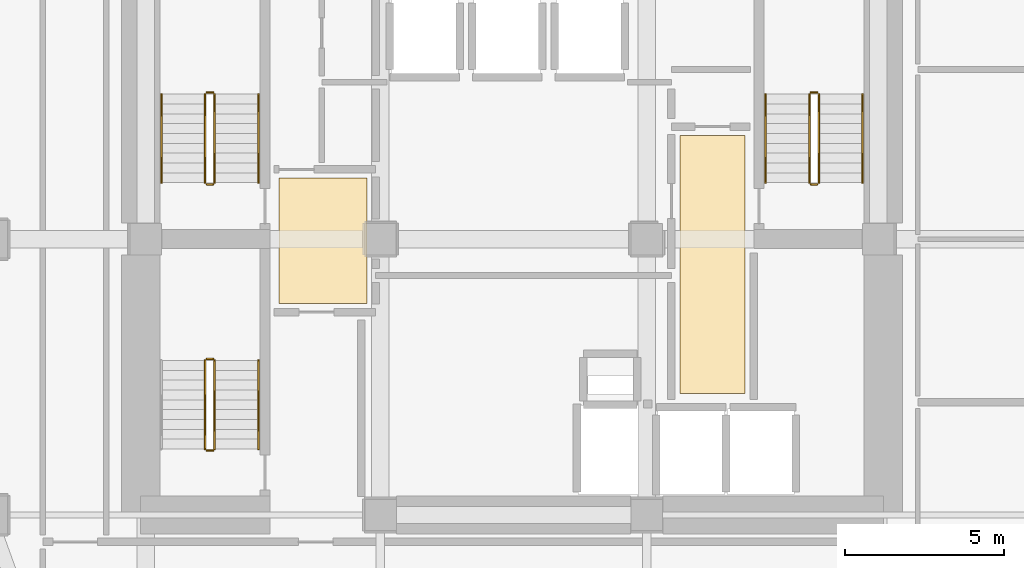
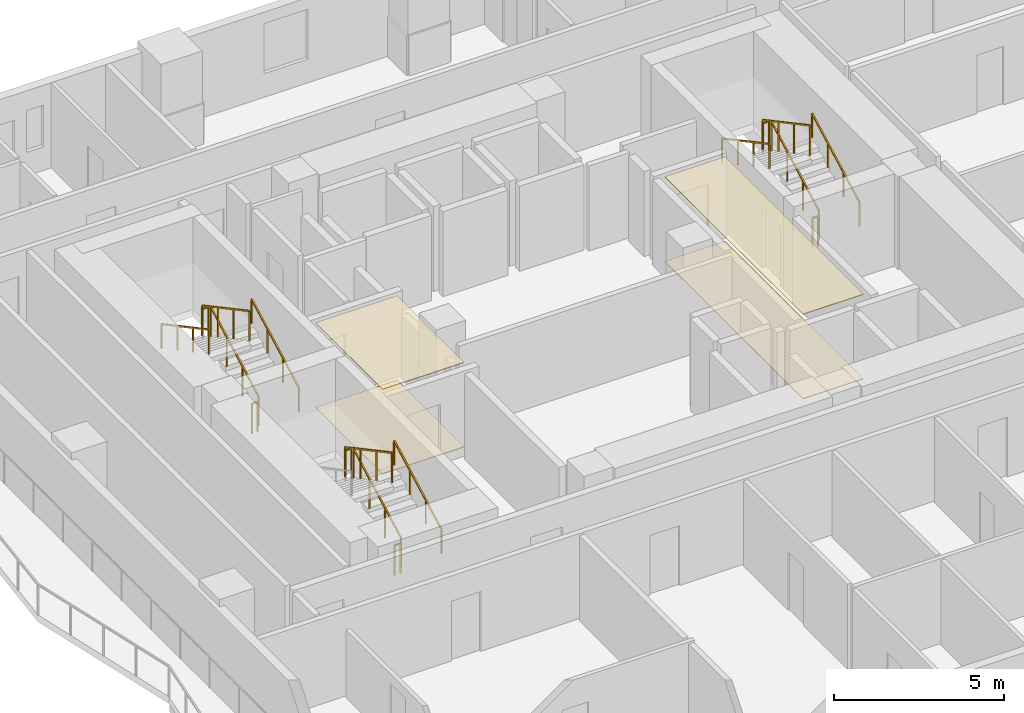
# One storey, part 9 of 10: 17 railings, 4 coverings.
"""IFC4 building model written with IfcOpenShell, lengths in metres."""

import ifcopenshell
import ifcopenshell.guid

model = None  # the IFC model being written
_history = None  # IfcOwnerHistory: only IFC2X3 demands one
_inside = {}  # id of a spatial element -> (the spatial element, [elements in it])
_under = {}  # id of a project, library or spatial element -> (it, [spatial elements below it])
_declared = {}  # id of a project -> (the project, [libraries it declares])
_typed = {}  # id of a type object -> (the type object, [elements of that type])
_made_of = {}  # id of a material, layer set ... -> (it, [elements and type objects made of it])


def new_model(schema):
    """Start an empty IFC model of exactly this schema.

    Asked for "IFC4X3", IfcOpenShell would pick the latest addendum, in which some entities
    have other attributes; the version numbers below select the first issue.
    IFC2X3 requires an IfcOwnerHistory on every rooted entity: one is made here for all.
    """
    global model, _history
    if schema == "IFC4X3":
        model = ifcopenshell.file(schema_version=(4, 3, 0, 0))
    else:
        model = ifcopenshell.file(schema=schema)
    _inside.clear()
    _under.clear()
    _declared.clear()
    _typed.clear()
    _made_of.clear()
    _history = None
    if model.schema == "IFC2X3":
        org = make("IfcOrganization", Name="unknown")
        user = make(
            "IfcPersonAndOrganization",
            ThePerson=make("IfcPerson", FamilyName="unknown"),
            TheOrganization=org,
        )
        app = make(
            "IfcApplication",
            ApplicationDeveloper=org,
            Version="unknown",
            ApplicationFullName="unknown",
            ApplicationIdentifier="unknown",
        )
        _history = make(
            "IfcOwnerHistory",
            OwningUser=user,
            OwningApplication=app,
            ChangeAction="ADDED",
            CreationDate=0,
        )
    return model


def make(cls, **values):
    """One entity of the class cls with the attributes given. An attribute that is None is left unset."""
    return model.create_entity(
        cls, **{name: value for name, value in values.items() if value is not None}
    )


def rooted(cls, **values):
    """An entity with a GlobalId (a new one), such as an element, a storey or a relation."""
    return make(cls, GlobalId=ifcopenshell.guid.new(), OwnerHistory=_history, **values)


def si_unit(unit_type, name, prefix=None):
    """IfcSIUnit, for example si_unit("LENGTHUNIT", "METRE", prefix="MILLI")."""
    return make("IfcSIUnit", UnitType=unit_type, Prefix=prefix, Name=name)


def assignment(units):
    """IfcUnitAssignment: the units of a project."""
    return None if units is None else make("IfcUnitAssignment", Units=units)


def point(xyz):
    """IfcCartesianPoint."""
    return None if xyz is None else make("IfcCartesianPoint", Coordinates=xyz)


def direction(xyz):
    """IfcDirection."""
    return None if xyz is None else make("IfcDirection", DirectionRatios=xyz)


def frame(location, z_axis=None, x_axis=None):
    """IfcAxis2Placement3D, a coordinate frame: its origin and axes. An axis left out is left unset."""
    return make(
        "IfcAxis2Placement3D",
        Location=point(location),
        Axis=direction(z_axis),
        RefDirection=direction(x_axis),
    )


def frame_2d(location, x_axis=None):
    """IfcAxis2Placement2D, a coordinate frame in the plane: its origin and x axis."""
    return make(
        "IfcAxis2Placement2D", Location=point(location), RefDirection=direction(x_axis)
    )


def origin():
    """The frame at (0, 0, 0) with its axes left unset."""
    return frame((0.0, 0.0, 0.0))


def origin_2d():
    """The frame at (0, 0) in the plane with its x axis left unset."""
    return frame_2d((0.0, 0.0))


def place(relative_to, where):
    """IfcLocalPlacement: puts the frame where relative to a parent placement (None: the world)."""
    return make(
        "IfcLocalPlacement", PlacementRelTo=relative_to, RelativePlacement=where
    )


def context(
    kind, dimensions, precision=None, world=None, true_north=None, identifier=None
):
    """IfcGeometricRepresentationContext, for example the 3D "Model" context."""
    return make(
        "IfcGeometricRepresentationContext",
        ContextIdentifier=identifier,
        ContextType=kind,
        CoordinateSpaceDimension=dimensions,
        Precision=precision,
        WorldCoordinateSystem=world,
        TrueNorth=true_north,
    )


def subcontext(parent, identifier, kind, view, scale=None):
    """IfcGeometricRepresentationSubContext, for example "Body" below "Model"."""
    return make(
        "IfcGeometricRepresentationSubContext",
        ContextIdentifier=identifier,
        ContextType=kind,
        ParentContext=parent,
        TargetScale=scale,
        TargetView=view,
    )


def project(units=None, contexts=None):
    """IfcProject with its units and contexts."""
    return rooted(
        "IfcProject",
        Name="project",
        RepresentationContexts=contexts,
        UnitsInContext=assignment(units),
    )


def spatial(cls, under=None, at=None, **own):
    """A site, building, storey or space (cls), placed at a placement, below another one or the project."""
    s = rooted(cls, ObjectPlacement=at, **own)
    if under is not None:
        _under.setdefault(under.id(), (under, []))[1].append(s)
    return s


def polyline(points):
    """IfcPolyline through the points."""
    return make("IfcPolyline", Points=[point(p) for p in points])


def profile(cls, at=None, kind="AREA", **sizes):
    """A parametric profile (cls). Its sizes go by their IFC names, for example OverallWidth=200.0."""
    return make(cls, ProfileType=kind, Position=at, **sizes)


def rectangle(**sizes):
    """IfcRectangleProfileDef."""
    return profile("IfcRectangleProfileDef", **sizes)


def outline(outer, holes=None, kind="AREA"):
    """IfcArbitraryClosedProfileDef: a profile drawn as a closed curve; with holes, ...WithVoids."""
    if holes is None:
        return make("IfcArbitraryClosedProfileDef", ProfileType=kind, OuterCurve=outer)
    return make(
        "IfcArbitraryProfileDefWithVoids",
        ProfileType=kind,
        OuterCurve=outer,
        InnerCurves=holes,
    )


def extrude(swept, where, along, depth):
    """IfcExtrudedAreaSolid: the profile swept, set in the frame where, extruded along a direction by depth."""
    return make(
        "IfcExtrudedAreaSolid",
        SweptArea=swept,
        Position=where,
        ExtrudedDirection=direction(along),
        Depth=depth,
    )


def shape(context_of_items, identifier, shape_type, items):
    """IfcShapeRepresentation: the items that make up one representation, for example the "Body"."""
    return make(
        "IfcShapeRepresentation",
        ContextOfItems=context_of_items,
        RepresentationIdentifier=identifier,
        RepresentationType=shape_type,
        Items=items,
    )


def material(Name=None, Category=None):
    """IfcMaterial."""
    return make("IfcMaterial", Name=Name, Category=Category)


def layer(
    of_material, thickness, ventilated=None, Name=None, Category=None, Priority=None
):
    """IfcMaterialLayer: one layer of a wall or slab, of a material (None: an air gap)."""
    return make(
        "IfcMaterialLayer",
        Material=of_material,
        LayerThickness=thickness,
        IsVentilated=ventilated,
        Name=Name,
        Category=Category,
        Priority=Priority,
    )


def layer_set(layers, Name=None):
    """IfcMaterialLayerSet."""
    return make("IfcMaterialLayerSet", MaterialLayers=layers, LayerSetName=Name)


def made_of(thing, what):
    """Note that an element or type object is made of a material, layer set ...; save() writes the relation."""
    if what is not None:
        _made_of.setdefault(what.id(), (what, []))[1].append(thing)
    return thing


def type_object(cls, material=None, **own):
    """A type object (cls), such as IfcWallType, which elements share."""
    return made_of(rooted(cls, **own), material)


def element(
    cls,
    number,
    at=None,
    inside=None,
    cuts=None,
    type_object=None,
    material=None,
    context=None,
    identifier="Body",
    shape_type=None,
    held_by="IfcProductDefinitionShape",
    body=None,
    shapes=None,
    **own,
):
    """One element of the class cls, such as IfcWall. Its Tag is "e" and its number.

    at: its placement. inside: the storey or other place that contains it. cuts: it is an
    opening in that element (IfcRelVoidsElement). A single representation is given by context,
    identifier, shape_type and body (its items); several are given by shapes. held_by: the class
    of the entity that holds the representations. save() writes the other relations.
    """
    e = rooted(cls, Tag="e%d" % number, ObjectPlacement=at, **own)
    if body is not None:
        shapes = [shape(context, identifier, shape_type, body)]
    if shapes is not None:
        e.Representation = make(held_by, Representations=shapes)
    if inside is not None:
        _inside.setdefault(inside.id(), (inside, []))[1].append(e)
    if cuts is not None:
        rooted(
            "IfcRelVoidsElement", RelatingBuildingElement=cuts, RelatedOpeningElement=e
        )
    if type_object is not None:
        _typed.setdefault(type_object.id(), (type_object, []))[1].append(e)
    return made_of(e, material)


def aggregate(whole, parts):
    """IfcRelAggregates: a whole, such as a stair, and the parts it consists of."""
    return rooted("IfcRelAggregates", RelatingObject=whole, RelatedObjects=parts)


def save(model, path):
    """Write the relations noted so far, then the file.

    IfcRelAggregates (storeys below a building ...), IfcRelContainedInSpatialStructure (elements
    in a storey), IfcRelDefinesByType, IfcRelAssociatesMaterial and IfcRelDeclares: one each for
    every whole, place, type object, material and project.
    """
    for whole, parts in _under.values():
        aggregate(whole, parts)
    for where, things in _inside.values():
        rooted(
            "IfcRelContainedInSpatialStructure",
            RelatedElements=things,
            RelatingStructure=where,
        )
    for kind, things in _typed.values():
        rooted("IfcRelDefinesByType", RelatedObjects=things, RelatingType=kind)
    for what, things in _made_of.values():
        rooted("IfcRelAssociatesMaterial", RelatedObjects=things, RelatingMaterial=what)
    for by, libraries in _declared.values():
        rooted("IfcRelDeclares", RelatingContext=by, RelatedDefinitions=libraries)
    model.write(path)


model = new_model("IFC4")

# Units and contexts
model_context = context("Model", 3, precision=1e-05, world=origin(), true_north=direction((0.0, 1.0)))
body_context = subcontext(model_context, "Body", "Model", "MODEL_VIEW")
ifc_project = project(units=[si_unit("LENGTHUNIT", "METRE"), si_unit("AREAUNIT", "SQUARE_METRE"), si_unit("VOLUMEUNIT", "CUBIC_METRE"), si_unit("PLANEANGLEUNIT", "RADIAN"), si_unit("MASSUNIT", "GRAM", prefix="KILO")], contexts=[model_context])

# Site, building, storey
site_placement = place(None, origin())
site = spatial("IfcSite", under=ifc_project, at=site_placement, CompositionType="ELEMENT")
building_placement = place(site_placement, origin())
building = spatial("IfcBuilding", under=site, at=building_placement, Name="Solanera Arch Residences", CompositionType="ELEMENT")
storey_placement = place(building_placement, frame((0.0, 0.0, 45.239990234375)))
storey = spatial("IfcBuildingStorey", under=building, at=storey_placement, Name="L12", CompositionType="ELEMENT", Elevation=45.239990234375)

# Coverings
ifc_material_1 = material(Name="Porcelain Acoustic Floor Tile", Category="ceramic")
ifc_layer_1 = layer(ifc_material_1, 0.02001953125)
ifc_layer_set_1 = layer_set([ifc_layer_1], Name="Porcelain Acoustic Floor Tile")
covering_type_1 = type_object("IfcCoveringType", Name="Porcelain Acoustic Floor Finish FLR-20", PredefinedType="FLOORING", material=ifc_layer_set_1)
covering_1_placement = place(storey_placement, origin())
element("IfcCovering", 1, at=covering_1_placement, inside=storey, type_object=covering_type_1, Name="L12-FFL-W Porcelain Floor Finish", PredefinedType="FLOORING", context=body_context, shape_type="SweptSolid", body=[
    extrude(outline(polyline([(20.375, 28.675048828125), (17.594970703125, 28.675048828125), (17.594970703125, 32.625), (20.375, 32.625), (20.375, 28.675048828125)])), origin(), (0.0, 0.0, 1.0), 0.02001953125),
])
covering_2_placement = place(storey_placement, origin())
element("IfcCovering", 2, at=covering_2_placement, inside=storey, type_object=covering_type_1, Name="L12-FFL-E Porcelain Floor Finish", PredefinedType="FLOORING", context=body_context, shape_type="SweptSolid", body=[
    extrude(outline(polyline([(32.304931640625, 25.824951171875), (30.25, 25.824951171875), (30.25, 33.97509765625), (32.304931640625, 33.97509765625), (32.304931640625, 25.824951171875)])), origin(), (0.0, 0.0, 1.0), 0.02001953125),
])

# Railings
ifc_material_2 = material(Name="Steel S355 (ASTM A992 / A572 Grade 50)", Category="steel")
railing_type_1 = type_object("IfcRailingType", Name="Stair Guardrail GR-1100", PredefinedType="GUARDRAIL", material=ifc_material_2)
railing_1_placement = place(storey_placement, frame((15.570068359375, 32.47998046875, 0.151123046875)))
element("IfcRailing", 3, at=railing_1_placement, inside=storey, type_object=railing_type_1, Name="L12 ST-T1 stair guard 1", PredefinedType="GUARDRAIL", context=body_context, shape_type="SweptSolid", body=[
    extrude(rectangle(XDim=0.048095703125, YDim=0.048095703125, at=origin_2d()), frame((0.0, 0.0, 1.076171875), z_axis=(0.0, 0.881580869306, 0.472033018838), x_axis=(-1.0, 0.0, 0.0)), (0.0, 0.0, 1.0), 3.164794921875),
    extrude(rectangle(XDim=0.0419921875, YDim=0.0419921875, at=origin_2d()), origin(), (0.0, 0.0, 1.0), 1.052001953125),
    extrude(rectangle(XDim=0.0419921875, YDim=0.0419921875, at=origin_2d()), frame((0.0, 0.929931640625, 0.498046875)), (0.0, 0.0, 1.0), 1.052001953125),
    extrude(rectangle(XDim=0.0419921875, YDim=0.0419921875, at=origin_2d()), frame((0.0, 1.860107421875, 0.995849609375)), (0.0, 0.0, 1.0), 1.052001953125),
    extrude(rectangle(XDim=0.0419921875, YDim=0.0419921875, at=origin_2d()), frame((0.0, 2.7900390625, 1.493896484375)), (0.0, 0.0, 1.0), 1.052001953125),
])
railing_2_placement = place(storey_placement, frame((15.52001953125, 35.320068359375, 1.64501953125)))
element("IfcRailing", 4, at=railing_2_placement, inside=storey, type_object=railing_type_1, Name="L12 ST-T1 stair guard 2", PredefinedType="GUARDRAIL", context=body_context, shape_type="SweptSolid", body=[
    extrude(rectangle(XDim=0.048095703125, YDim=0.048095703125, at=origin_2d()), frame((0.0, 0.0, 1.076171875), z_axis=(-1.0, 0.0, 0.0), x_axis=(0.0, -1.0, 0.0)), (0.0, 0.0, 1.0), 0.199951171875),
    extrude(rectangle(XDim=0.0419921875, YDim=0.0419921875, at=origin_2d()), origin(), (0.0, 0.0, 1.0), 1.052001953125),
    extrude(rectangle(XDim=0.0419921875, YDim=0.0419921875, at=origin_2d()), frame((-0.199951171875, 0.0, 0.0)), (0.0, 0.0, 1.0), 1.052001953125),
])
railing_3_placement = place(storey_placement, frame((15.27001953125, 35.27001953125, 1.81103515625)))
element("IfcRailing", 5, at=railing_3_placement, inside=storey, type_object=railing_type_1, Name="L12 ST-T1 stair guard 3", PredefinedType="GUARDRAIL", context=body_context, shape_type="SweptSolid", body=[
    extrude(rectangle(XDim=0.048095703125, YDim=0.048095703125, at=origin_2d()), frame((0.0, 0.0, 1.076171875), z_axis=(0.0, -0.881580869306, 0.472033018838), x_axis=(1.0, 0.0, 0.0)), (0.0, 0.0, 1.0), 3.164794921875),
    extrude(rectangle(XDim=0.0419921875, YDim=0.0419921875, at=origin_2d()), origin(), (0.0, 0.0, 1.0), 1.052001953125),
    extrude(rectangle(XDim=0.0419921875, YDim=0.0419921875, at=origin_2d()), frame((0.0, -0.929931640625, 0.498046875)), (0.0, 0.0, 1.0), 1.052001953125),
    extrude(rectangle(XDim=0.0419921875, YDim=0.0419921875, at=origin_2d()), frame((0.0, -1.860107421875, 0.995849609375)), (0.0, 0.0, 1.0), 1.052001953125),
    extrude(rectangle(XDim=0.0419921875, YDim=0.0419921875, at=origin_2d()), frame((0.0, -2.7900390625, 1.493896484375)), (0.0, 0.0, 1.0), 1.052001953125),
])
railing_4_placement = place(storey_placement, frame((15.52001953125, 32.429931640625, -0.014892578125)))
element("IfcRailing", 6, at=railing_4_placement, inside=storey, type_object=railing_type_1, Name="L12 ST-T1 stair guard 4", PredefinedType="GUARDRAIL", context=body_context, shape_type="SweptSolid", body=[
    extrude(rectangle(XDim=0.048095703125, YDim=0.048095703125, at=origin_2d()), frame((0.0, 0.0, 1.076171875), z_axis=(-1.0, 0.0, 0.0), x_axis=(0.0, -1.0, 0.0)), (0.0, 0.0, 1.0), 0.199951171875),
    extrude(rectangle(XDim=0.0419921875, YDim=0.0419921875, at=origin_2d()), origin(), (0.0, 0.0, 1.0), 1.052001953125),
    extrude(rectangle(XDim=0.0419921875, YDim=0.0419921875, at=origin_2d()), frame((-0.199951171875, 0.0, 0.0)), (0.0, 0.0, 1.0), 1.052001953125),
])
railing_5_placement = place(storey_placement, frame((34.6298828125, 32.47998046875, 0.151123046875)))
element("IfcRailing", 7, at=railing_5_placement, inside=storey, type_object=railing_type_1, Name="L12 ST-T2 stair guard 1", PredefinedType="GUARDRAIL", context=body_context, shape_type="SweptSolid", body=[
    extrude(rectangle(XDim=0.048095703125, YDim=0.048095703125, at=origin_2d()), frame((0.0, 0.0, 1.076171875), z_axis=(0.0, 0.881580869306, 0.472033018838), x_axis=(-1.0, 0.0, 0.0)), (0.0, 0.0, 1.0), 3.164794921875),
    extrude(rectangle(XDim=0.0419921875, YDim=0.0419921875, at=origin_2d()), origin(), (0.0, 0.0, 1.0), 1.052001953125),
    extrude(rectangle(XDim=0.0419921875, YDim=0.0419921875, at=origin_2d()), frame((0.0, 0.929931640625, 0.498046875)), (0.0, 0.0, 1.0), 1.052001953125),
    extrude(rectangle(XDim=0.0419921875, YDim=0.0419921875, at=origin_2d()), frame((0.0, 1.860107421875, 0.995849609375)), (0.0, 0.0, 1.0), 1.052001953125),
    extrude(rectangle(XDim=0.0419921875, YDim=0.0419921875, at=origin_2d()), frame((0.0, 2.7900390625, 1.493896484375)), (0.0, 0.0, 1.0), 1.052001953125),
])
railing_6_placement = place(storey_placement, frame((34.580078125, 35.320068359375, 1.64501953125)))
element("IfcRailing", 8, at=railing_6_placement, inside=storey, type_object=railing_type_1, Name="L12 ST-T2 stair guard 2", PredefinedType="GUARDRAIL", context=body_context, shape_type="SweptSolid", body=[
    extrude(rectangle(XDim=0.048095703125, YDim=0.048095703125, at=origin_2d()), frame((0.0, 0.0, 1.076171875), z_axis=(-1.0, 0.0, 0.0), x_axis=(0.0, -1.0, 0.0)), (0.0, 0.0, 1.0), 0.2001953125),
    extrude(rectangle(XDim=0.0419921875, YDim=0.0419921875, at=origin_2d()), origin(), (0.0, 0.0, 1.0), 1.052001953125),
    extrude(rectangle(XDim=0.0419921875, YDim=0.0419921875, at=origin_2d()), frame((-0.2001953125, 0.0, 0.0)), (0.0, 0.0, 1.0), 1.052001953125),
])
railing_7_placement = place(storey_placement, frame((34.330078125, 35.27001953125, 1.81103515625)))
element("IfcRailing", 9, at=railing_7_placement, inside=storey, type_object=railing_type_1, Name="L12 ST-T2 stair guard 3", PredefinedType="GUARDRAIL", context=body_context, shape_type="SweptSolid", body=[
    extrude(rectangle(XDim=0.048095703125, YDim=0.048095703125, at=origin_2d()), frame((0.0, 0.0, 1.076171875), z_axis=(0.0, -0.881580869306, 0.472033018838), x_axis=(1.0, 0.0, 0.0)), (0.0, 0.0, 1.0), 3.164794921875),
    extrude(rectangle(XDim=0.0419921875, YDim=0.0419921875, at=origin_2d()), origin(), (0.0, 0.0, 1.0), 1.052001953125),
    extrude(rectangle(XDim=0.0419921875, YDim=0.0419921875, at=origin_2d()), frame((0.0, -0.929931640625, 0.498046875)), (0.0, 0.0, 1.0), 1.052001953125),
    extrude(rectangle(XDim=0.0419921875, YDim=0.0419921875, at=origin_2d()), frame((0.0, -1.860107421875, 0.995849609375)), (0.0, 0.0, 1.0), 1.052001953125),
    extrude(rectangle(XDim=0.0419921875, YDim=0.0419921875, at=origin_2d()), frame((0.0, -2.7900390625, 1.493896484375)), (0.0, 0.0, 1.0), 1.052001953125),
])
railing_8_placement = place(storey_placement, frame((34.580078125, 32.429931640625, -0.014892578125)))
element("IfcRailing", 10, at=railing_8_placement, inside=storey, type_object=railing_type_1, Name="L12 ST-T2 stair guard 4", PredefinedType="GUARDRAIL", context=body_context, shape_type="SweptSolid", body=[
    extrude(rectangle(XDim=0.048095703125, YDim=0.048095703125, at=origin_2d()), frame((0.0, 0.0, 1.076171875), z_axis=(-1.0, 0.0, 0.0), x_axis=(0.0, -1.0, 0.0)), (0.0, 0.0, 1.0), 0.2001953125),
    extrude(rectangle(XDim=0.0419921875, YDim=0.0419921875, at=origin_2d()), origin(), (0.0, 0.0, 1.0), 1.052001953125),
    extrude(rectangle(XDim=0.0419921875, YDim=0.0419921875, at=origin_2d()), frame((-0.2001953125, 0.0, 0.0)), (0.0, 0.0, 1.0), 1.052001953125),
])
railing_9_placement = place(storey_placement, frame((15.570068359375, 24.080078125, 0.151123046875)))
element("IfcRailing", 11, at=railing_9_placement, inside=storey, type_object=railing_type_1, Name="L12 ST-T3 stair guard 1", PredefinedType="GUARDRAIL", context=body_context, shape_type="SweptSolid", body=[
    extrude(rectangle(XDim=0.048095703125, YDim=0.048095703125, at=origin_2d()), frame((0.0, 0.0, 1.076171875), z_axis=(0.0, 0.881580869306, 0.472033018838), x_axis=(-1.0, 0.0, 0.0)), (0.0, 0.0, 1.0), 3.164794921875),
    extrude(rectangle(XDim=0.0419921875, YDim=0.0419921875, at=origin_2d()), origin(), (0.0, 0.0, 1.0), 1.052001953125),
    extrude(rectangle(XDim=0.0419921875, YDim=0.0419921875, at=origin_2d()), frame((0.0, 0.929931640625, 0.498046875)), (0.0, 0.0, 1.0), 1.052001953125),
    extrude(rectangle(XDim=0.0419921875, YDim=0.0419921875, at=origin_2d()), frame((0.0, 1.860107421875, 0.995849609375)), (0.0, 0.0, 1.0), 1.052001953125),
    extrude(rectangle(XDim=0.0419921875, YDim=0.0419921875, at=origin_2d()), frame((0.0, 2.7900390625, 1.493896484375)), (0.0, 0.0, 1.0), 1.052001953125),
])
railing_10_placement = place(storey_placement, frame((15.52001953125, 26.919921875, 1.64501953125)))
element("IfcRailing", 12, at=railing_10_placement, inside=storey, type_object=railing_type_1, Name="L12 ST-T3 stair guard 2", PredefinedType="GUARDRAIL", context=body_context, shape_type="SweptSolid", body=[
    extrude(rectangle(XDim=0.048095703125, YDim=0.048095703125, at=origin_2d()), frame((0.0, 0.0, 1.076171875), z_axis=(-1.0, 0.0, 0.0), x_axis=(0.0, -1.0, 0.0)), (0.0, 0.0, 1.0), 0.199951171875),
    extrude(rectangle(XDim=0.0419921875, YDim=0.0419921875, at=origin_2d()), origin(), (0.0, 0.0, 1.0), 1.052001953125),
    extrude(rectangle(XDim=0.0419921875, YDim=0.0419921875, at=origin_2d()), frame((-0.199951171875, 0.0, 0.0)), (0.0, 0.0, 1.0), 1.052001953125),
])
railing_11_placement = place(storey_placement, frame((15.27001953125, 26.8701171875, 1.81103515625)))
element("IfcRailing", 13, at=railing_11_placement, inside=storey, type_object=railing_type_1, Name="L12 ST-T3 stair guard 3", PredefinedType="GUARDRAIL", context=body_context, shape_type="SweptSolid", body=[
    extrude(rectangle(XDim=0.048095703125, YDim=0.048095703125, at=origin_2d()), frame((0.0, 0.0, 1.076171875), z_axis=(0.0, -0.881580869306, 0.472033018838), x_axis=(1.0, 0.0, 0.0)), (0.0, 0.0, 1.0), 3.164794921875),
    extrude(rectangle(XDim=0.0419921875, YDim=0.0419921875, at=origin_2d()), origin(), (0.0, 0.0, 1.0), 1.052001953125),
    extrude(rectangle(XDim=0.0419921875, YDim=0.0419921875, at=origin_2d()), frame((0.0, -0.929931640625, 0.498046875)), (0.0, 0.0, 1.0), 1.052001953125),
    extrude(rectangle(XDim=0.0419921875, YDim=0.0419921875, at=origin_2d()), frame((0.0, -1.860107421875, 0.995849609375)), (0.0, 0.0, 1.0), 1.052001953125),
    extrude(rectangle(XDim=0.0419921875, YDim=0.0419921875, at=origin_2d()), frame((0.0, -2.7900390625, 1.493896484375)), (0.0, 0.0, 1.0), 1.052001953125),
])
railing_12_placement = place(storey_placement, frame((15.52001953125, 24.030029296875, -0.014892578125)))
element("IfcRailing", 14, at=railing_12_placement, inside=storey, type_object=railing_type_1, Name="L12 ST-T3 stair guard 4", PredefinedType="GUARDRAIL", context=body_context, shape_type="SweptSolid", body=[
    extrude(rectangle(XDim=0.048095703125, YDim=0.048095703125, at=origin_2d()), frame((0.0, 0.0, 1.076171875), z_axis=(-1.0, 0.0, 0.0), x_axis=(0.0, -1.0, 0.0)), (0.0, 0.0, 1.0), 0.199951171875),
    extrude(rectangle(XDim=0.0419921875, YDim=0.0419921875, at=origin_2d()), origin(), (0.0, 0.0, 1.0), 1.052001953125),
    extrude(rectangle(XDim=0.0419921875, YDim=0.0419921875, at=origin_2d()), frame((-0.199951171875, 0.0, 0.0)), (0.0, 0.0, 1.0), 1.052001953125),
])
ifc_material_3 = material(Name="Steel S355 (ASTM A992 / A572 Grade 50)", Category="steel")
railing_type_2 = type_object("IfcRailingType", Name="Stair Wall Handrail HR-920", PredefinedType="HANDRAIL", material=ifc_material_3)
railing_13_placement = place(storey_placement, frame((16.949951171875, 32.47998046875, 0.166015625)))
element("IfcRailing", 15, at=railing_13_placement, inside=storey, type_object=railing_type_2, Name="L12 ST-T1 stair handrail 1", PredefinedType="HANDRAIL", context=body_context, shape_type="SweptSolid", body=[
    extrude(rectangle(XDim=0.048095703125, YDim=0.048095703125, at=origin_2d()), frame((0.0, 0.0, 0.8759765625), z_axis=(0.0, 0.881580869306, 0.472033018838), x_axis=(-1.0, 0.0, 0.0)), (0.0, 0.0, 1.0), 3.164794921875),
    extrude(rectangle(XDim=0.0419921875, YDim=0.0419921875, at=origin_2d()), origin(), (0.0, 0.0, 1.0), 0.851806640625),
    extrude(rectangle(XDim=0.0419921875, YDim=0.0419921875, at=origin_2d()), frame((0.0, 0.929931640625, 0.498046875)), (0.0, 0.0, 1.0), 0.851806640625),
    extrude(rectangle(XDim=0.0419921875, YDim=0.0419921875, at=origin_2d()), frame((0.0, 1.860107421875, 0.995849609375)), (0.0, 0.0, 1.0), 0.851806640625),
    extrude(rectangle(XDim=0.0419921875, YDim=0.0419921875, at=origin_2d()), frame((0.0, 2.7900390625, 1.493896484375)), (0.0, 0.0, 1.0), 0.851806640625),
])
railing_14_placement = place(storey_placement, frame((13.889892578125, 35.27001953125, 1.825927734375)))
element("IfcRailing", 16, at=railing_14_placement, inside=storey, type_object=railing_type_2, Name="L12 ST-T1 stair handrail 2", PredefinedType="HANDRAIL", context=body_context, shape_type="SweptSolid", body=[
    extrude(rectangle(XDim=0.048095703125, YDim=0.048095703125, at=origin_2d()), frame((0.0, 0.0, 0.8759765625), z_axis=(0.0, -0.881548766853, 0.472092969298), x_axis=(1.0, 0.0, 0.0)), (0.0, 0.0, 1.0), 3.1650390625),
    extrude(rectangle(XDim=0.0419921875, YDim=0.0419921875, at=origin_2d()), origin(), (0.0, 0.0, 1.0), 0.851806640625),
    extrude(rectangle(XDim=0.0419921875, YDim=0.0419921875, at=origin_2d()), frame((0.0, -0.929931640625, 0.498046875)), (0.0, 0.0, 1.0), 0.851806640625),
    extrude(rectangle(XDim=0.0419921875, YDim=0.0419921875, at=origin_2d()), frame((0.0, -1.860107421875, 0.99609375)), (0.0, 0.0, 1.0), 0.851806640625),
    extrude(rectangle(XDim=0.0419921875, YDim=0.0419921875, at=origin_2d()), frame((0.0, -2.7900390625, 1.494140625)), (0.0, 0.0, 1.0), 0.851806640625),
])
railing_15_placement = place(storey_placement, frame((36.010009765625, 32.47998046875, 0.166015625)))
element("IfcRailing", 17, at=railing_15_placement, inside=storey, type_object=railing_type_2, Name="L12 ST-T2 stair handrail 1", PredefinedType="HANDRAIL", context=body_context, shape_type="SweptSolid", body=[
    extrude(rectangle(XDim=0.048095703125, YDim=0.048095703125, at=origin_2d()), frame((0.0, 0.0, 0.8759765625), z_axis=(0.0, 0.881580869306, 0.472033018838), x_axis=(-1.0, 0.0, 0.0)), (0.0, 0.0, 1.0), 3.164794921875),
    extrude(rectangle(XDim=0.0419921875, YDim=0.0419921875, at=origin_2d()), origin(), (0.0, 0.0, 1.0), 0.851806640625),
    extrude(rectangle(XDim=0.0419921875, YDim=0.0419921875, at=origin_2d()), frame((0.0, 0.929931640625, 0.498046875)), (0.0, 0.0, 1.0), 0.851806640625),
    extrude(rectangle(XDim=0.0419921875, YDim=0.0419921875, at=origin_2d()), frame((0.0, 1.860107421875, 0.995849609375)), (0.0, 0.0, 1.0), 0.851806640625),
    extrude(rectangle(XDim=0.0419921875, YDim=0.0419921875, at=origin_2d()), frame((0.0, 2.7900390625, 1.493896484375)), (0.0, 0.0, 1.0), 0.851806640625),
])
railing_16_placement = place(storey_placement, frame((32.949951171875, 35.27001953125, 1.825927734375)))
element("IfcRailing", 18, at=railing_16_placement, inside=storey, type_object=railing_type_2, Name="L12 ST-T2 stair handrail 2", PredefinedType="HANDRAIL", context=body_context, shape_type="SweptSolid", body=[
    extrude(rectangle(XDim=0.048095703125, YDim=0.048095703125, at=origin_2d()), frame((0.0, 0.0, 0.8759765625), z_axis=(0.0, -0.881548766853, 0.472092969298), x_axis=(1.0, 0.0, 0.0)), (0.0, 0.0, 1.0), 3.1650390625),
    extrude(rectangle(XDim=0.0419921875, YDim=0.0419921875, at=origin_2d()), origin(), (0.0, 0.0, 1.0), 0.851806640625),
    extrude(rectangle(XDim=0.0419921875, YDim=0.0419921875, at=origin_2d()), frame((0.0, -0.929931640625, 0.498046875)), (0.0, 0.0, 1.0), 0.851806640625),
    extrude(rectangle(XDim=0.0419921875, YDim=0.0419921875, at=origin_2d()), frame((0.0, -1.860107421875, 0.99609375)), (0.0, 0.0, 1.0), 0.851806640625),
    extrude(rectangle(XDim=0.0419921875, YDim=0.0419921875, at=origin_2d()), frame((0.0, -2.7900390625, 1.494140625)), (0.0, 0.0, 1.0), 0.851806640625),
])
railing_17_placement = place(storey_placement, frame((16.949951171875, 24.080078125, 0.166015625)))
element("IfcRailing", 19, at=railing_17_placement, inside=storey, type_object=railing_type_2, Name="L12 ST-T3 stair handrail 1", PredefinedType="HANDRAIL", context=body_context, shape_type="SweptSolid", body=[
    extrude(rectangle(XDim=0.048095703125, YDim=0.048095703125, at=origin_2d()), frame((0.0, 0.0, 0.8759765625), z_axis=(0.0, 0.881580869306, 0.472033018838), x_axis=(-1.0, 0.0, 0.0)), (0.0, 0.0, 1.0), 3.164794921875),
    extrude(rectangle(XDim=0.0419921875, YDim=0.0419921875, at=origin_2d()), origin(), (0.0, 0.0, 1.0), 0.851806640625),
    extrude(rectangle(XDim=0.0419921875, YDim=0.0419921875, at=origin_2d()), frame((0.0, 0.929931640625, 0.498046875)), (0.0, 0.0, 1.0), 0.851806640625),
    extrude(rectangle(XDim=0.0419921875, YDim=0.0419921875, at=origin_2d()), frame((0.0, 1.860107421875, 0.995849609375)), (0.0, 0.0, 1.0), 0.851806640625),
    extrude(rectangle(XDim=0.0419921875, YDim=0.0419921875, at=origin_2d()), frame((0.0, 2.7900390625, 1.493896484375)), (0.0, 0.0, 1.0), 0.851806640625),
])

# Coverings
ifc_material_4 = material(Name="Mineral Fibre Acoustic Ceiling Board", Category="gypsum")
ifc_layer_2 = layer(ifc_material_4, 0.02490234375)
ifc_layer_set_2 = layer_set([ifc_layer_2], Name="Mineral Fibre Acoustic Ceiling Board")
covering_type_2 = type_object("IfcCoveringType", Name="Suspended Acoustic Ceiling Board CLG-25", PredefinedType="CEILING", material=ifc_layer_set_2)
covering_3_placement = place(storey_placement, frame((0.0, 0.0, 3.034912109375)))
element("IfcCovering", 20, at=covering_3_placement, inside=storey, type_object=covering_type_2, Name="L12-FFL-W Acoustic Ceiling", PredefinedType="CEILING", context=body_context, shape_type="SweptSolid", body=[
    extrude(outline(polyline([(20.375, 28.675048828125), (17.594970703125, 28.675048828125), (17.594970703125, 32.625), (20.375, 32.625), (20.375, 28.675048828125)])), origin(), (0.0, 0.0, 1.0), 0.025146484375),
])
covering_4_placement = place(storey_placement, frame((0.0, 0.0, 3.034912109375)))
element("IfcCovering", 21, at=covering_4_placement, inside=storey, type_object=covering_type_2, Name="L12-FFL-E Acoustic Ceiling", PredefinedType="CEILING", context=body_context, shape_type="SweptSolid", body=[
    extrude(outline(polyline([(32.304931640625, 25.824951171875), (30.25, 25.824951171875), (30.25, 33.97509765625), (32.304931640625, 33.97509765625), (32.304931640625, 25.824951171875)])), origin(), (0.0, 0.0, 1.0), 0.025146484375),
])

save(model, "model.ifc")
